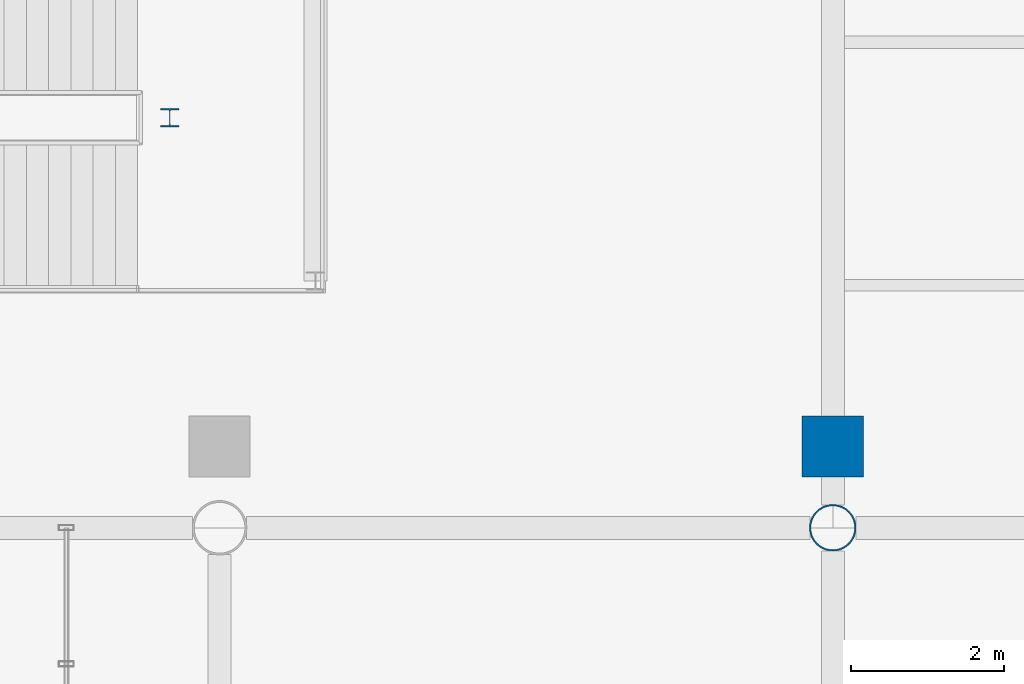
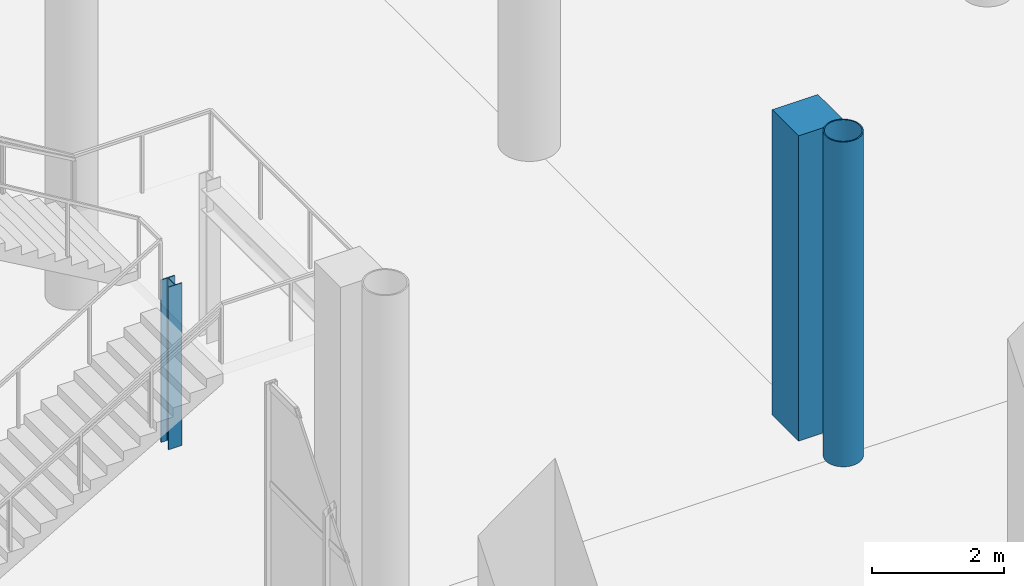
# One storey, part 16 of 163: 3 columns.
"""IFC4 building model written with IfcOpenShell, lengths in metres."""

from ifc_helpers import new_model, si_unit, direction, frame, origin, origin_2d, place, context, subcontext, project, spatial, rectangle, hollow_circle, i_section, extrude, material, material_profile, profile_set, type_object, element, save


model = new_model("IFC4")

# Units and contexts
model_context = context("Model", 3, precision=1e-05, world=origin(), true_north=direction((0.0, 1.0)))
body_context = subcontext(model_context, "Body", "Model", "MODEL_VIEW")
ifc_project = project(units=[si_unit("LENGTHUNIT", "METRE"), si_unit("AREAUNIT", "SQUARE_METRE"), si_unit("VOLUMEUNIT", "CUBIC_METRE"), si_unit("PLANEANGLEUNIT", "RADIAN"), si_unit("MASSUNIT", "GRAM", prefix="KILO")], contexts=[model_context])

# Site, building, storey
site_placement = place(None, origin())
site = spatial("IfcSite", under=ifc_project, at=site_placement, CompositionType="ELEMENT")
building_placement = place(site_placement, origin())
building = spatial("IfcBuilding", under=site, at=building_placement, Name="Khorjan Park Terminus", CompositionType="ELEMENT")
storey_placement = place(building_placement, origin())
storey = spatial("IfcBuildingStorey", under=building, at=storey_placement, Name="L00", CompositionType="ELEMENT", Elevation=0.0)

# Columns
ifc_material_1 = material(Name="Steel S355", Category="steel")
ifc_material_profile_1 = material_profile(ifc_material_1, i_section(OverallWidth=0.24, OverallDepth=0.24, WebThickness=0.01, FlangeThickness=0.017, FilletRadius=0.021, at=origin_2d()), Name="HEB 240")
ifc_profile_set_1 = profile_set([ifc_material_profile_1], Name="Steel S355")
column_type_1 = type_object("IfcColumnType", Name="COL-HB240", PredefinedType="COLUMN", material=ifc_profile_set_1)
column_1_placement = place(storey_placement, frame((111.35, 107.35, 0.0), z_axis=(0.0, 0.0, 1.0), x_axis=(1.0, 0.0, 0.0)))
element("IfcColumn", 1, at=column_1_placement, inside=storey, type_object=column_type_1, Name="Structural column SC-H24 (L00 #1001)", PredefinedType="COLUMN", context=body_context, shape_type="SweptSolid", body=[
    extrude(i_section(OverallWidth=0.24, OverallDepth=0.24, WebThickness=0.01, FlangeThickness=0.017, FilletRadius=0.021, at=origin_2d()), origin(), (0.0, 0.0, 1.0), 3.0),
])
ifc_material_2 = material(Name="Concrete C40/50", Category="concrete")
ifc_material_profile_2 = material_profile(ifc_material_2, rectangle(XDim=0.8, YDim=0.8, at=origin_2d()), Name="RC 800x800")
ifc_profile_set_2 = profile_set([ifc_material_profile_2], Name="Concrete C40/50")
column_type_2 = type_object("IfcColumnType", Name="COL-RC800", PredefinedType="COLUMN", material=ifc_profile_set_2)
column_2_placement = place(storey_placement, frame((120.0, 103.06, 0.0), z_axis=(0.0, 0.0, 1.0), x_axis=(1.0, 0.0, 0.0)))
element("IfcColumn", 2, at=column_2_placement, inside=storey, type_object=column_type_2, Name="Structural column C-RC08 (L00 #525)", PredefinedType="COLUMN", context=body_context, shape_type="SweptSolid", body=[
    extrude(rectangle(XDim=0.8, YDim=0.8, at=origin_2d()), origin(), (0.0, 0.0, 1.0), 5.64),
])
ifc_material_profile_3 = material_profile(ifc_material_1, hollow_circle(Radius=0.305, WallThickness=0.02, at=origin_2d()), Name="CHS 610x20")
ifc_profile_set_3 = profile_set([ifc_material_profile_3], Name="Steel S355")
column_type_3 = type_object("IfcColumnType", Name="COL-SH610E", PredefinedType="COLUMN", material=ifc_profile_set_3)
column_3_placement = place(storey_placement, frame((120.0, 102.0, 0.0), z_axis=(0.0, 0.0, 1.0), x_axis=(1.0, 0.0, 0.0)))
element("IfcColumn", 3, at=column_3_placement, inside=storey, type_object=column_type_3, Name="Structural column SC-61 (L00 #177)", PredefinedType="COLUMN", context=body_context, shape_type="SweptSolid", body=[
    extrude(hollow_circle(Radius=0.305, WallThickness=0.02, at=origin_2d()), origin(), (0.0, 0.0, 1.0), 6.0),
])

save(model, "model.ifc")
